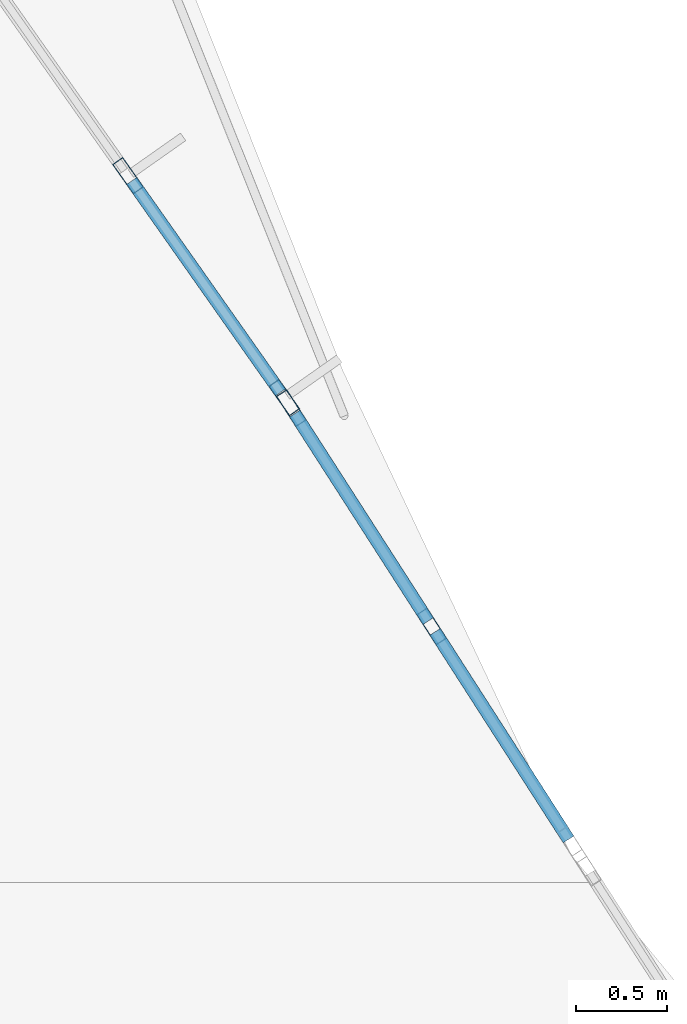
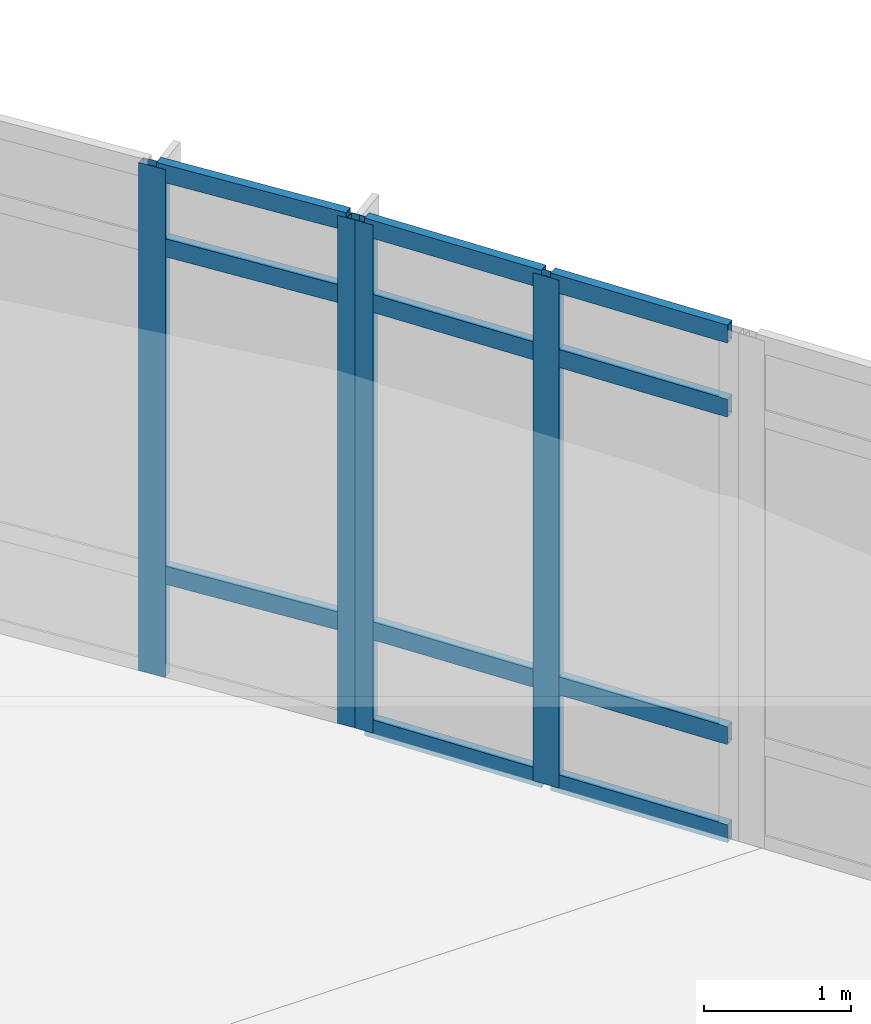
# One storey, part 16 of 46: 15 members, 2 elements without a shape of their own.
"""IFC4 building model written with IfcOpenShell, lengths in metres."""

from ifc_helpers import new_model, si_unit, derived_unit, direction, frame, origin, origin_2d, place, context, subcontext, project, spatial, hollow_rectangle, extrude, material, layer, layer_set, material_profile, profile_set, type_object, element, aggregate, save


model = new_model("IFC4")

# Units and contexts
model_context = context("Model", 3, precision=1e-05, world=origin(), true_north=direction((0.0, 1.0)))
body_context = subcontext(model_context, "Body", "Model", "MODEL_VIEW")
ifc_project = project(units=[si_unit("LENGTHUNIT", "METRE"), si_unit("AREAUNIT", "SQUARE_METRE"), si_unit("VOLUMEUNIT", "CUBIC_METRE"), si_unit("PLANEANGLEUNIT", "RADIAN"), si_unit("MASSUNIT", "GRAM", prefix="KILO"), derived_unit("THERMALTRANSMITTANCEUNIT", [(si_unit("POWERUNIT", "WATT"), 1), (si_unit("LENGTHUNIT", "METRE"), -2), (si_unit("THERMODYNAMICTEMPERATUREUNIT", "KELVIN"), -1)])], contexts=[model_context])

# Site, building, storey
site_placement = place(None, origin())
site = spatial("IfcSite", under=ifc_project, at=site_placement, CompositionType="ELEMENT")
building_placement = place(site_placement, origin())
building = spatial("IfcBuilding", under=site, at=building_placement, Name="Elbkamm Science Centre", CompositionType="ELEMENT")
storey_placement = place(building_placement, frame((0.0, 0.0, 9.89990234375)))
storey = spatial("IfcBuildingStorey", under=building, at=storey_placement, Name="L02", CompositionType="ELEMENT", Elevation=9.89990234375)

# Curtain wall, members
ifc_material_1 = material(Name="Powder-coated aluminium and triple low-E glazing", Category="aluminium")
ifc_layer_1 = layer(ifc_material_1, 0.159912109375)
ifc_layer_set_1 = layer_set([ifc_layer_1], Name="Powder-coated aluminium and triple low-E glazing")
curtain_wall_type_1 = type_object("IfcCurtainWallType", Name="CW-UNIT-2920x4220", PredefinedType="USERDEFINED", material=ifc_layer_set_1)
curtain_wall_1_placement = place(storey_placement, origin())
curtain_wall_1 = element("IfcCurtainWall", 1, at=curtain_wall_1_placement, inside=storey, type_object=curtain_wall_type_1, Name="L02 Unitised Curtain Wall 019", ObjectType="UNITISED CURTAIN WALL", PredefinedType="USERDEFINED")
ifc_material_2 = material(Name="Powder-coated aluminium EN AW-6060", Category="aluminium")
ifc_material_profile_1 = material_profile(ifc_material_2, hollow_rectangle(XDim=0.070068359375, YDim=0.199951171875, WallThickness=0.00439453125, at=origin_2d()), Name="ALU M70x200")
ifc_profile_set_1 = profile_set([ifc_material_profile_1], Name="Powder-coated aluminium EN AW-6060")
member_type_1 = type_object("IfcMemberType", Name="CW-MUL-70x200", PredefinedType="MULLION", material=ifc_profile_set_1)
member_1_placement = place(storey_placement, frame((88.713134765625, 77.006591796875, 0.0), z_axis=(0.0, 0.0, 1.0), x_axis=(-0.841210737524, -0.540707402459, 0.0)))
member_1 = element("IfcMember", 2, at=member_1_placement, type_object=member_type_1, Name="CW-011 mullion 2", PredefinedType="MULLION", context=body_context, shape_type="SweptSolid", body=[
    extrude(hollow_rectangle(XDim=0.070068359375, YDim=0.199951171875, WallThickness=0.00439453125, at=origin_2d()), origin(), (0.0, 0.0, 1.0), 4.22021484375),
])
member_2_placement = place(storey_placement, frame((87.942626953125, 78.20556640625, 0.0), z_axis=(0.0, 0.0, 1.0), x_axis=(-0.841210737524, -0.540707402459, 0.0)))
member_2 = element("IfcMember", 3, at=member_2_placement, type_object=member_type_1, Name="CW-011 mullion 3", PredefinedType="MULLION", context=body_context, shape_type="SweptSolid", body=[
    extrude(hollow_rectangle(XDim=0.070068359375, YDim=0.199951171875, WallThickness=0.00439453125, at=origin_2d()), origin(), (0.0, 0.0, 1.0), 4.22021484375),
])

ifc_layer_2 = layer(ifc_material_1, 0.159912109375)
ifc_layer_set_2 = layer_set([ifc_layer_2], Name="Powder-coated aluminium and triple low-E glazing")
curtain_wall_type_2 = type_object("IfcCurtainWallType", Name="CW-UNIT-3060x4220", PredefinedType="USERDEFINED", material=ifc_layer_set_2)
curtain_wall_2_placement = place(storey_placement, origin())
curtain_wall_2 = element("IfcCurtainWall", 4, at=curtain_wall_2_placement, inside=storey, type_object=curtain_wall_type_2, Name="L02 Unitised Curtain Wall 020", ObjectType="UNITISED CURTAIN WALL", PredefinedType="USERDEFINED")
member_3_placement = place(storey_placement, frame((87.903564453125, 78.263671875, 0.0), z_axis=(0.0, 0.0, 1.0), x_axis=(-0.817694968929, -0.575651750443, 0.0)))
member_3 = element("IfcMember", 5, at=member_3_placement, type_object=member_type_1, Name="CW-012 mullion 1", PredefinedType="MULLION", context=body_context, shape_type="SweptSolid", body=[
    extrude(hollow_rectangle(XDim=0.070068359375, YDim=0.199951171875, WallThickness=0.00439453125, at=origin_2d()), origin(), (0.0, 0.0, 1.0), 4.22021484375),
])
member_4_placement = place(storey_placement, frame((87.045654296875, 79.482177734375, 0.0), z_axis=(0.0, 0.0, 1.0), x_axis=(-0.817694968929, -0.575651750443, 0.0)))
member_4 = element("IfcMember", 6, at=member_4_placement, type_object=member_type_1, Name="CW-012 mullion 2", PredefinedType="MULLION", context=body_context, shape_type="SweptSolid", body=[
    extrude(hollow_rectangle(XDim=0.070068359375, YDim=0.199951171875, WallThickness=0.00439453125, at=origin_2d()), origin(), (0.0, 0.0, 1.0), 4.22021484375),
])

# Member
ifc_material_profile_2 = material_profile(ifc_material_2, hollow_rectangle(XDim=0.070068359375, YDim=0.14990234375, WallThickness=0.00390625, at=origin_2d()), Name="ALU T70x150")
ifc_profile_set_2 = profile_set([ifc_material_profile_2], Name="Powder-coated aluminium EN AW-6060")
member_type_2 = type_object("IfcMemberType", Name="CW-TRN-70x150", PredefinedType="USERDEFINED", material=ifc_profile_set_2)
member_5_placement = place(storey_placement, frame((89.46484375, 75.837158203125, 0.03515625), z_axis=(-0.540611907254, 0.841272111588, 0.0), x_axis=(-0.841272111588, -0.540611907254, 0.0)))
member_5 = element("IfcMember", 7, at=member_5_placement, type_object=member_type_2, Name="CW-011 transom 1.1", ObjectType="TRANSOM", PredefinedType="USERDEFINED", context=body_context, shape_type="SweptSolid", body=[
    extrude(hollow_rectangle(XDim=0.070068359375, YDim=0.14990234375, WallThickness=0.00390625, at=origin_2d()), origin(), (0.0, 0.0, 1.0), 1.355224609375),
])

member_6_placement = place(storey_placement, frame((89.46484375, 75.837158203125, 0.85009765625), z_axis=(-0.540611907254, 0.841272111588, 0.0), x_axis=(-0.841272111588, -0.540611907254, 0.0)))
member_6 = element("IfcMember", 8, at=member_6_placement, type_object=member_type_2, Name="CW-011 transom 1.2", ObjectType="TRANSOM", PredefinedType="USERDEFINED", context=body_context, shape_type="SweptSolid", body=[
    extrude(hollow_rectangle(XDim=0.070068359375, YDim=0.14990234375, WallThickness=0.00390625, at=origin_2d()), origin(), (0.0, 0.0, 1.0), 1.355224609375),
])

member_7_placement = place(storey_placement, frame((89.46484375, 75.837158203125, 3.570068359375), z_axis=(-0.540611907254, 0.841272111588, 0.0), x_axis=(-0.841272111588, -0.540611907254, 0.0)))
member_7 = element("IfcMember", 9, at=member_7_placement, type_object=member_type_2, Name="CW-011 transom 1.3", ObjectType="TRANSOM", PredefinedType="USERDEFINED", context=body_context, shape_type="SweptSolid", body=[
    extrude(hollow_rectangle(XDim=0.070068359375, YDim=0.14990234375, WallThickness=0.00390625, at=origin_2d()), origin(), (0.0, 0.0, 1.0), 1.355224609375),
])

member_8_placement = place(storey_placement, frame((89.46484375, 75.837158203125, 4.18505859375), z_axis=(-0.540611907254, 0.841272111588, 0.0), x_axis=(-0.841272111588, -0.540611907254, 0.0)))
member_8 = element("IfcMember", 10, at=member_8_placement, type_object=member_type_2, Name="CW-011 transom 1.4", ObjectType="TRANSOM", PredefinedType="USERDEFINED", context=body_context, shape_type="SweptSolid", body=[
    extrude(hollow_rectangle(XDim=0.070068359375, YDim=0.14990234375, WallThickness=0.00390625, at=origin_2d()), origin(), (0.0, 0.0, 1.0), 1.355224609375),
])

member_9_placement = place(storey_placement, frame((88.6943359375, 77.0361328125, 0.03515625), z_axis=(-0.540693846873, 0.841219450532, 0.0), x_axis=(-0.841219450532, -0.540693846873, 0.0)))
member_9 = element("IfcMember", 11, at=member_9_placement, type_object=member_type_2, Name="CW-011 transom 2.1", ObjectType="TRANSOM", PredefinedType="USERDEFINED", context=body_context, shape_type="SweptSolid", body=[
    extrude(hollow_rectangle(XDim=0.070068359375, YDim=0.14990234375, WallThickness=0.00390625, at=origin_2d()), origin(), (0.0, 0.0, 1.0), 1.35498046875),
])

member_10_placement = place(storey_placement, frame((88.6943359375, 77.0361328125, 0.85009765625), z_axis=(-0.540693846873, 0.841219450532, 0.0), x_axis=(-0.841219450532, -0.540693846873, 0.0)))
member_10 = element("IfcMember", 12, at=member_10_placement, type_object=member_type_2, Name="CW-011 transom 2.2", ObjectType="TRANSOM", PredefinedType="USERDEFINED", context=body_context, shape_type="SweptSolid", body=[
    extrude(hollow_rectangle(XDim=0.070068359375, YDim=0.14990234375, WallThickness=0.00390625, at=origin_2d()), origin(), (0.0, 0.0, 1.0), 1.35498046875),
])

member_11_placement = place(storey_placement, frame((88.6943359375, 77.0361328125, 3.570068359375), z_axis=(-0.540693846873, 0.841219450532, 0.0), x_axis=(-0.841219450532, -0.540693846873, 0.0)))
member_11 = element("IfcMember", 13, at=member_11_placement, type_object=member_type_2, Name="CW-011 transom 2.3", ObjectType="TRANSOM", PredefinedType="USERDEFINED", context=body_context, shape_type="SweptSolid", body=[
    extrude(hollow_rectangle(XDim=0.070068359375, YDim=0.14990234375, WallThickness=0.00390625, at=origin_2d()), origin(), (0.0, 0.0, 1.0), 1.35498046875),
])

member_12_placement = place(storey_placement, frame((88.6943359375, 77.0361328125, 4.18505859375), z_axis=(-0.540693846873, 0.841219450532, 0.0), x_axis=(-0.841219450532, -0.540693846873, 0.0)))
member_12 = element("IfcMember", 14, at=member_12_placement, type_object=member_type_2, Name="CW-011 transom 2.4", ObjectType="TRANSOM", PredefinedType="USERDEFINED", context=body_context, shape_type="SweptSolid", body=[
    extrude(hollow_rectangle(XDim=0.070068359375, YDim=0.14990234375, WallThickness=0.00390625, at=origin_2d()), origin(), (0.0, 0.0, 1.0), 1.35498046875),
])

aggregate(curtain_wall_1, [member_1, member_2, member_5, member_6, member_7, member_8, member_9, member_10, member_11, member_12])

member_13_placement = place(storey_placement, frame((87.88330078125, 78.292236328125, 0.85009765625), z_axis=(-0.575629682216, 0.817710504367, 0.0), x_axis=(-0.817710504367, -0.575629682216, 0.0)))
member_13 = element("IfcMember", 15, at=member_13_placement, type_object=member_type_2, Name="CW-012 transom 1.2", ObjectType="TRANSOM", PredefinedType="USERDEFINED", context=body_context, shape_type="SweptSolid", body=[
    extrude(hollow_rectangle(XDim=0.070068359375, YDim=0.14990234375, WallThickness=0.00390625, at=origin_2d()), origin(), (0.0, 0.0, 1.0), 1.419921875),
])

member_14_placement = place(storey_placement, frame((87.88330078125, 78.292236328125, 3.570068359375), z_axis=(-0.575629682216, 0.817710504367, 0.0), x_axis=(-0.817710504367, -0.575629682216, 0.0)))
member_14 = element("IfcMember", 16, at=member_14_placement, type_object=member_type_2, Name="CW-012 transom 1.3", ObjectType="TRANSOM", PredefinedType="USERDEFINED", context=body_context, shape_type="SweptSolid", body=[
    extrude(hollow_rectangle(XDim=0.070068359375, YDim=0.14990234375, WallThickness=0.00390625, at=origin_2d()), origin(), (0.0, 0.0, 1.0), 1.419921875),
])

member_15_placement = place(storey_placement, frame((87.88330078125, 78.292236328125, 4.18505859375), z_axis=(-0.575629682216, 0.817710504367, 0.0), x_axis=(-0.817710504367, -0.575629682216, 0.0)))
member_15 = element("IfcMember", 17, at=member_15_placement, type_object=member_type_2, Name="CW-012 transom 1.4", ObjectType="TRANSOM", PredefinedType="USERDEFINED", context=body_context, shape_type="SweptSolid", body=[
    extrude(hollow_rectangle(XDim=0.070068359375, YDim=0.14990234375, WallThickness=0.00390625, at=origin_2d()), origin(), (0.0, 0.0, 1.0), 1.419921875),
])

aggregate(curtain_wall_2, [member_3, member_4, member_13, member_14, member_15])

save(model, "model.ifc")
